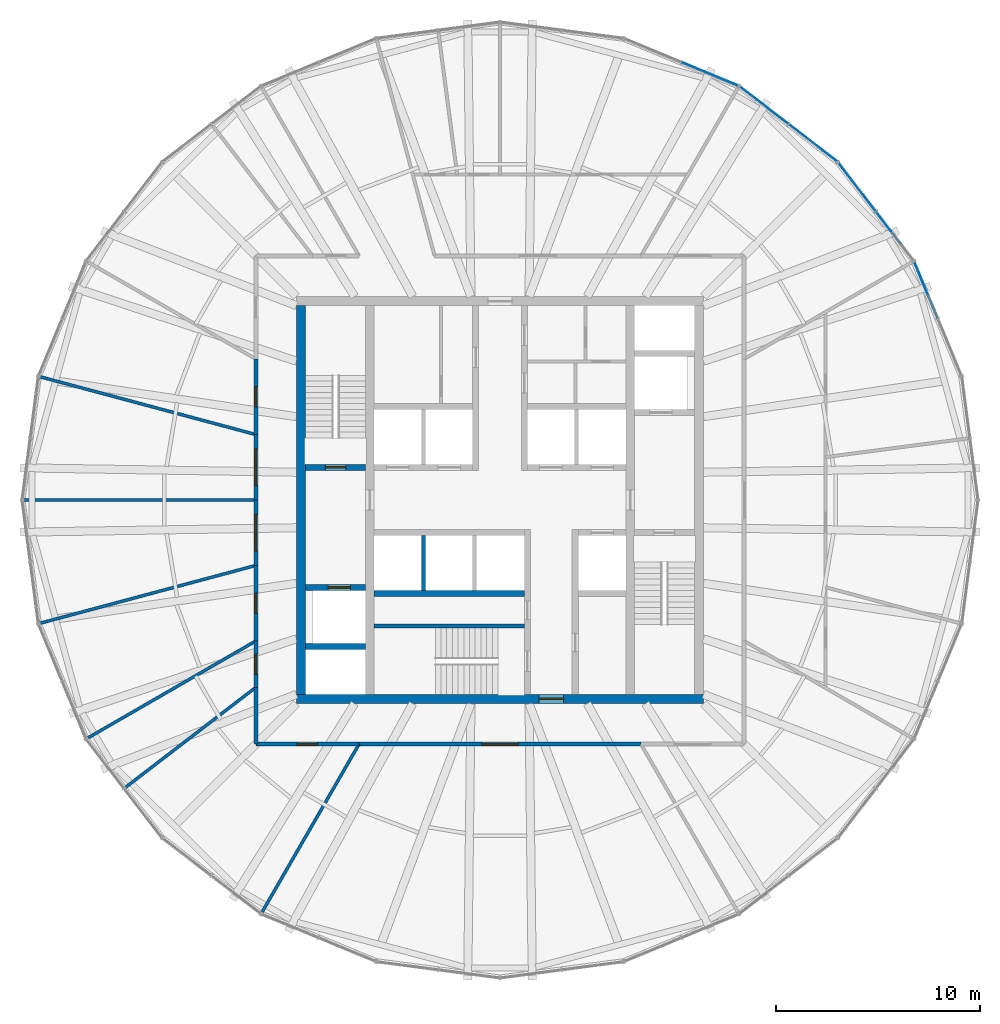
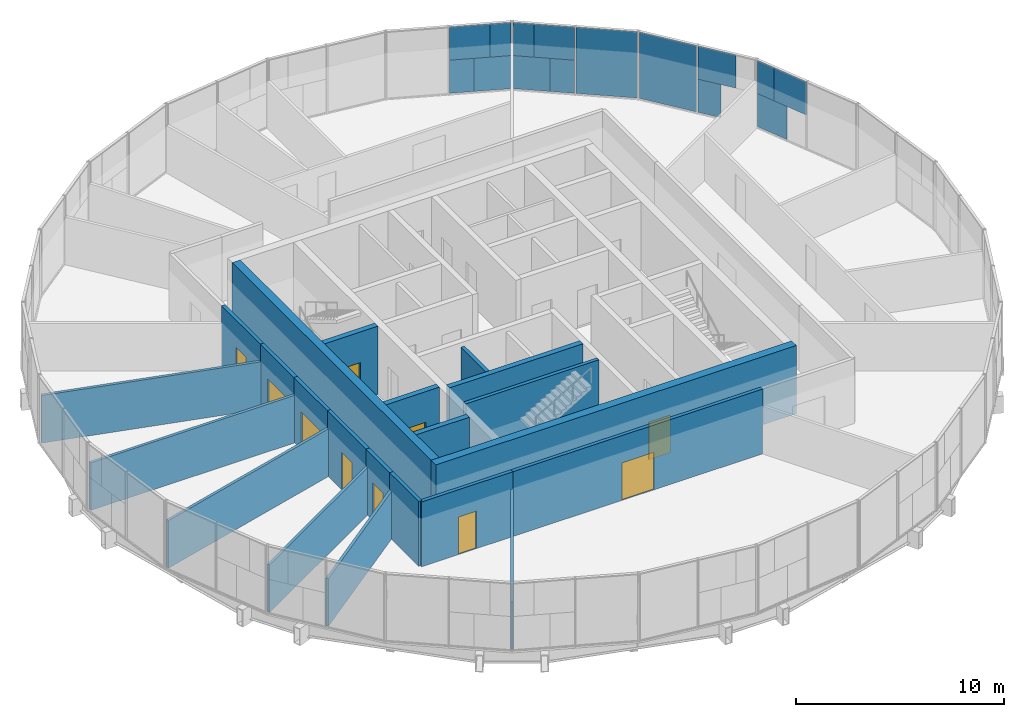
# One storey, part 10 of 13: 22 walls, 15 plates, 10 doors, 10 openings, 4 elements without a shape of their own.
"""IFC4 building model written with IfcOpenShell, lengths in metres."""

from ifc_helpers import new_model, si_unit, direction, frame, frame_2d, origin, origin_2d, place, context, subcontext, project, spatial, rectangle, extrude, material, layer, layer_set, type_object, element, fill, aggregate, save


model = new_model("IFC4")

# Units and contexts
model_context = context("Model", 3, precision=1e-05, world=origin(), true_north=direction((0.0, 1.0)))
body_context = subcontext(model_context, "Body", "Model", "MODEL_VIEW")
ifc_project = project(units=[si_unit("LENGTHUNIT", "METRE"), si_unit("AREAUNIT", "SQUARE_METRE"), si_unit("VOLUMEUNIT", "CUBIC_METRE"), si_unit("PLANEANGLEUNIT", "RADIAN"), si_unit("MASSUNIT", "GRAM", prefix="KILO")], contexts=[model_context])

# Site, building, storey
site_placement = place(None, origin())
site = spatial("IfcSite", under=ifc_project, at=site_placement, CompositionType="ELEMENT")
building_placement = place(site_placement, origin())
building = spatial("IfcBuilding", under=site, at=building_placement, Name="Golbaran Civic Tower", CompositionType="ELEMENT")
storey_placement = place(building_placement, frame((0.0, 0.0, 211.0)))
storey = spatial("IfcBuildingStorey", under=building, at=storey_placement, Name="L51", CompositionType="ELEMENT", Elevation=211.0)

# Curtain wall, plate
ifc_material_1 = material(Name="Aluminium and glass", Category="aluminium")
curtain_wall_type = type_object("IfcCurtainWallType", Name="INNER SKIN CURTAIN WALL EXECUTIVE", PredefinedType="NOTDEFINED", material=ifc_material_1)
curtain_wall_1_placement = place(storey_placement, origin())
curtain_wall_1 = element("IfcCurtainWall", 1, at=curtain_wall_1_placement, inside=storey, type_object=curtain_wall_type, Name="Inner skin L51 facet 2 CW2", ObjectType="INNER SKIN", PredefinedType="USERDEFINED")
ifc_material_2 = material(Name="Clear insulating glass", Category="glass")
ifc_layer_1 = layer(ifc_material_2, 0.031982421875, Name="Clear insulating glass")
ifc_layer_set_1 = layer_set([ifc_layer_1], Name="Clear insulating glass")
plate_type_1 = type_object("IfcPlateType", Name="INNER SKIN CURTAIN WALL EXECUTIVE GLAZED PANEL", PredefinedType="CURTAIN_PANEL", material=ifc_layer_set_1)
plate_1_placement = place(storey_placement, frame((21.12744140625, 9.84619140625, 2.0), z_axis=(0.0, 0.0, 1.0), x_axis=(-0.382683432381, 0.923879532505, 0.0)))
plate_1 = element("IfcPlate", 2, at=plate_1_placement, type_object=plate_type_1, Name="CW2 panel 2.1 part 3", PredefinedType="CURTAIN_PANEL", context=body_context, shape_type="SweptSolid", body=[
    extrude(rectangle(XDim=1.962890625, YDim=0.031982421875, at=origin_2d()), origin(), (0.0, 0.0, 1.0), 1.93994140625),
])

# Curtain wall, plates
curtain_wall_2_placement = place(storey_placement, origin())
curtain_wall_2 = element("IfcCurtainWall", 3, at=curtain_wall_2_placement, inside=storey, type_object=curtain_wall_type, Name="Inner skin L51 facet 3 CW2", ObjectType="INNER SKIN", PredefinedType="USERDEFINED")
plate_2_placement = place(storey_placement, frame((18.855224609375, 13.680419921875, 0.06005859375), z_axis=(0.0, 0.0, 1.0), x_axis=(-0.608761428912, 0.793353340366, 0.0)))
plate_2 = element("IfcPlate", 4, at=plate_2_placement, type_object=plate_type_1, Name="CW2 panel 1.1 part 2", PredefinedType="CURTAIN_PANEL", context=body_context, shape_type="SweptSolid", body=[
    extrude(rectangle(XDim=1.189697265625, YDim=0.031982421875, at=origin_2d()), origin(), (0.0, 0.0, 1.0), 1.93994140625),
])
plate_3_placement = place(storey_placement, frame((19.090576171875, 13.373779296875, 2.0), z_axis=(0.0, 0.0, 1.0), x_axis=(-0.608761428912, 0.793353340366, 0.0)))
plate_3 = element("IfcPlate", 5, at=plate_3_placement, type_object=plate_type_1, Name="CW2 panel 1.1 part 4", PredefinedType="CURTAIN_PANEL", context=body_context, shape_type="SweptSolid", body=[
    extrude(rectangle(XDim=1.962890625, YDim=0.031982421875, at=origin_2d()), origin(), (0.0, 0.0, 1.0), 1.93994140625),
])
plate_4_placement = place(storey_placement, frame((17.55078125, 15.38037109375, 0.06005859375), z_axis=(0.0, 0.0, 1.0), x_axis=(-0.608761428912, 0.793353340366, 0.0)))
plate_4 = element("IfcPlate", 6, at=plate_4_placement, type_object=plate_type_1, Name="CW2 panel 2.1", PredefinedType="CURTAIN_PANEL", context=body_context, shape_type="SweptSolid", body=[
    extrude(rectangle(XDim=2.975830078125, YDim=0.031982421875, at=origin_2d()), origin(), (0.0, 0.0, 1.0), 3.8798828125),
])
aggregate(curtain_wall_2, [plate_2, plate_3, plate_4])

curtain_wall_3_placement = place(storey_placement, origin())
curtain_wall_3 = element("IfcCurtainWall", 7, at=curtain_wall_3_placement, inside=storey, type_object=curtain_wall_type, Name="Inner skin L51 facet 4 CW2", ObjectType="INNER SKIN", PredefinedType="USERDEFINED")
plate_5_placement = place(storey_placement, frame((15.38037109375, 17.55078125, 0.06005859375), z_axis=(0.0, 0.0, 1.0), x_axis=(-0.793353340366, 0.608761428912, 0.0)))
plate_5 = element("IfcPlate", 8, at=plate_5_placement, type_object=plate_type_1, Name="CW2 panel 1.1", PredefinedType="CURTAIN_PANEL", context=body_context, shape_type="SweptSolid", body=[
    extrude(rectangle(XDim=2.975830078125, YDim=0.031982421875, at=origin_2d()), origin(), (0.0, 0.0, 1.0), 3.8798828125),
])
plate_6_placement = place(storey_placement, frame((13.680419921875, 18.855224609375, 0.06005859375), z_axis=(0.0, 0.0, 1.0), x_axis=(-0.793353340366, 0.608761428912, 0.0)))
plate_6 = element("IfcPlate", 9, at=plate_6_placement, type_object=plate_type_1, Name="CW2 panel 2.1 part 1", PredefinedType="CURTAIN_PANEL", context=body_context, shape_type="SweptSolid", body=[
    extrude(rectangle(XDim=1.18994140625, YDim=0.031982421875, at=origin_2d()), origin(), (0.0, 0.0, 1.0), 1.93994140625),
])
plate_7_placement = place(storey_placement, frame((13.373779296875, 19.090576171875, 2.0), z_axis=(0.0, 0.0, 1.0), x_axis=(-0.793353340366, 0.608761428912, 0.0)))
plate_7 = element("IfcPlate", 10, at=plate_7_placement, type_object=plate_type_1, Name="CW2 panel 2.1 part 3", PredefinedType="CURTAIN_PANEL", context=body_context, shape_type="SweptSolid", body=[
    extrude(rectangle(XDim=1.962890625, YDim=0.031982421875, at=origin_2d()), origin(), (0.0, 0.0, 1.0), 1.93994140625),
])

curtain_wall_4_placement = place(storey_placement, origin())
curtain_wall_4 = element("IfcCurtainWall", 11, at=curtain_wall_4_placement, inside=storey, type_object=curtain_wall_type, Name="Inner skin L51 facet 5 CW2", ObjectType="INNER SKIN", PredefinedType="USERDEFINED")
plate_8_placement = place(storey_placement, frame((9.489013671875, 21.275390625, 0.06005859375), z_axis=(0.0, 0.0, 1.0), x_axis=(-0.923879532505, 0.382683432381, 0.0)))
plate_8 = element("IfcPlate", 12, at=plate_8_placement, type_object=plate_type_1, Name="CW2 panel 1.1 part 2", PredefinedType="CURTAIN_PANEL", context=body_context, shape_type="SweptSolid", body=[
    extrude(rectangle(XDim=1.189697265625, YDim=0.031982421875, at=origin_2d()), origin(), (0.0, 0.0, 1.0), 1.93994140625),
])
plate_9_placement = place(storey_placement, frame((9.845947265625, 21.12744140625, 2.0), z_axis=(0.0, 0.0, 1.0), x_axis=(-0.923879532505, 0.382683432381, 0.0)))
plate_9 = element("IfcPlate", 13, at=plate_9_placement, type_object=plate_type_1, Name="CW2 panel 1.1 part 4", PredefinedType="CURTAIN_PANEL", context=body_context, shape_type="SweptSolid", body=[
    extrude(rectangle(XDim=1.962890625, YDim=0.031982421875, at=origin_2d()), origin(), (0.0, 0.0, 1.0), 1.93994140625),
])

# Plate
ifc_material_3 = material(Name="Aluminium faced opaque infill panel", Category="aluminium")
ifc_layer_2 = layer(ifc_material_3, 0.031982421875, Name="Aluminium faced opaque infill panel")
ifc_layer_set_2 = layer_set([ifc_layer_2], Name="Aluminium faced opaque infill panel")
plate_type_2 = type_object("IfcPlateType", Name="INNER SKIN CURTAIN WALL EXECUTIVE OPAQUE INFILL PANEL", PredefinedType="CURTAIN_PANEL", material=ifc_layer_set_2)
plate_10_placement = place(storey_placement, frame((20.705810546875, 10.863525390625, 0.06005859375), z_axis=(0.0, 0.0, 1.0), x_axis=(-0.382683432381, 0.923879532505, 0.0)))
plate_10 = element("IfcPlate", 14, at=plate_10_placement, type_object=plate_type_2, Name="CW2 infill panel 2.1 part 2", PredefinedType="CURTAIN_PANEL", context=body_context, shape_type="SweptSolid", body=[
    extrude(rectangle(XDim=1.785888671875, YDim=0.031982421875, at=origin_2d()), origin(), (0.0, 0.0, 1.0), 1.93994140625),
])

plate_11_placement = place(storey_placement, frame((20.557861328125, 11.220703125, 2.0), z_axis=(0.0, 0.0, 1.0), x_axis=(-0.382683432381, 0.923879532505, 0.0)))
plate_11 = element("IfcPlate", 15, at=plate_11_placement, type_object=plate_type_2, Name="CW2 infill panel 2.1 part 4", PredefinedType="CURTAIN_PANEL", context=body_context, shape_type="SweptSolid", body=[
    extrude(rectangle(XDim=1.0126953125, YDim=0.031982421875, at=origin_2d()), origin(), (0.0, 0.0, 1.0), 1.93994140625),
])

aggregate(curtain_wall_1, [plate_10, plate_1, plate_11])

plate_12_placement = place(storey_placement, frame((12.5, 19.76123046875, 0.06005859375), z_axis=(0.0, 0.0, 1.0), x_axis=(-0.793353340366, 0.608761428912, 0.0)))
plate_12 = element("IfcPlate", 16, at=plate_12_placement, type_object=plate_type_2, Name="CW2 infill panel 2.1 part 2", PredefinedType="CURTAIN_PANEL", context=body_context, shape_type="SweptSolid", body=[
    extrude(rectangle(XDim=1.785888671875, YDim=0.031982421875, at=origin_2d()), origin(), (0.0, 0.0, 1.0), 1.93994140625),
])

plate_13_placement = place(storey_placement, frame((12.193359375, 19.996337890625, 2.0), z_axis=(0.0, 0.0, 1.0), x_axis=(-0.793353340366, 0.608761428912, 0.0)))
plate_13 = element("IfcPlate", 17, at=plate_13_placement, type_object=plate_type_2, Name="CW2 infill panel 2.1 part 4", PredefinedType="CURTAIN_PANEL", context=body_context, shape_type="SweptSolid", body=[
    extrude(rectangle(XDim=1.0126953125, YDim=0.031982421875, at=origin_2d()), origin(), (0.0, 0.0, 1.0), 1.93994140625),
])

aggregate(curtain_wall_3, [plate_5, plate_6, plate_12, plate_7, plate_13])

plate_14_placement = place(storey_placement, frame((10.863525390625, 20.705810546875, 0.06005859375), z_axis=(0.0, 0.0, 1.0), x_axis=(-0.923879532505, 0.382683432381, 0.0)))
plate_14 = element("IfcPlate", 18, at=plate_14_placement, type_object=plate_type_2, Name="CW2 infill panel 1.1 part 1", PredefinedType="CURTAIN_PANEL", context=body_context, shape_type="SweptSolid", body=[
    extrude(rectangle(XDim=1.785888671875, YDim=0.031982421875, at=origin_2d()), origin(), (0.0, 0.0, 1.0), 1.93994140625),
])

plate_15_placement = place(storey_placement, frame((11.220703125, 20.55810546875, 2.0), z_axis=(0.0, 0.0, 1.0), x_axis=(-0.923879532505, 0.382683432381, 0.0)))
plate_15 = element("IfcPlate", 19, at=plate_15_placement, type_object=plate_type_2, Name="CW2 infill panel 1.1 part 3", PredefinedType="CURTAIN_PANEL", context=body_context, shape_type="SweptSolid", body=[
    extrude(rectangle(XDim=1.012939453125, YDim=0.031982421875, at=origin_2d()), origin(), (0.0, 0.0, 1.0), 1.93994140625),
])

aggregate(curtain_wall_4, [plate_14, plate_8, plate_15, plate_9])

# Wall, opening, door
ifc_material_4 = material(Name="Concrete C50/60", Category="concrete")
ifc_layer_3 = layer(ifc_material_4, 0.449951171875, Name="Concrete C50/60")
ifc_layer_set_3 = layer_set([ifc_layer_3], Name="Concrete C50/60")
wall_type_1 = type_object("IfcWallType", Name="CORE WALL CONCRETE 450", PredefinedType="SOLIDWALL", material=ifc_layer_set_3)
wall_1_placement = place(storey_placement, frame((10.0, -9.77490234375, 0.0), z_axis=(0.0, 0.0, 1.0), x_axis=(-1.0, 0.0, 0.0)))
wall_1 = element("IfcWall", 20, at=wall_1_placement, inside=storey, type_object=wall_type_1, Name="Core wall CS L51", PredefinedType="SOLIDWALL", context=body_context, shape_type="SweptSolid", body=[
    extrude(rectangle(XDim=20.0, YDim=0.449951171875, at=frame_2d((10.0, 0.0))), origin(), (0.0, 0.0, 1.0), 4.0),
])
opening_1_placement = place(wall_1_placement, frame((6.875, 0.0, 0.0)))
opening_1 = element("IfcOpeningElement", 21, at=opening_1_placement, cuts=wall_1, Name="Opening L51.CS", PredefinedType="OPENING", context=body_context, shape_type="SweptSolid", body=[
    extrude(rectangle(XDim=1.199951171875, YDim=2.199951171875, at=frame_2d((0.60009765625, 1.10009765625))), frame((0.0, 0.23486328125, 0.0), z_axis=(0.0, -1.0, 0.0), x_axis=(1.0, 0.0, 0.0)), (0.0, 0.0, 1.0), 0.469970703125),
])
ifc_material_5 = material(Name="Timber door set in steel frame", Category="steel")
door_type_1 = type_object("IfcDoorType", Name="CORE DOOR 1200x2200", OperationType="DOUBLE_DOOR_SINGLE_SWING", PredefinedType="DOOR", material=ifc_material_5)
door_1_placement = place(opening_1_placement, origin())
door_1 = element("IfcDoor", 22, at=door_1_placement, inside=storey, type_object=door_type_1, Name="Core door south", OperationType="DOUBLE_DOOR_SINGLE_SWING", OverallHeight=2.199951171875, OverallWidth=1.199951171875, PredefinedType="DOOR", context=body_context, shape_type="SweptSolid", body=[
    extrude(rectangle(XDim=1.199951171875, YDim=2.199951171875, at=frame_2d((0.60009765625, 1.10009765625))), frame((0.0, 0.02490234375, 0.0), z_axis=(0.0, -1.0, 0.0), x_axis=(1.0, 0.0, 0.0)), (0.0, 0.0, 1.0), 0.050048828125),
])
fill(opening_1, door_1)

# Wall
wall_2_placement = place(storey_placement, frame((-9.77490234375, 9.550048828125, 0.0), z_axis=(0.0, 0.0, 1.0), x_axis=(0.0, -1.0, 0.0)))
element("IfcWall", 23, at=wall_2_placement, inside=storey, type_object=wall_type_1, Name="Core wall CW L51", PredefinedType="SOLIDWALL", context=body_context, shape_type="SweptSolid", body=[
    extrude(rectangle(XDim=19.10009765625, YDim=0.449951171875, at=frame_2d((9.550048828125, 0.0))), origin(), (0.0, 0.0, 1.0), 4.0),
])

# Wall, opening, door
ifc_material_6 = material(Name="Gypsum board on steel studs, fire-rated", Category="steel")
ifc_layer_4 = layer(ifc_material_6, 0.199951171875, Name="Gypsum board on steel studs, fire-rated")
ifc_layer_set_4 = layer_set([ifc_layer_4], Name="Gypsum board on steel studs, fire-rated")
wall_type_2 = type_object("IfcWallType", Name="CORRIDOR WALL 200", PredefinedType="PARTITIONING", material=ifc_layer_set_4)
wall_3_placement = place(storey_placement, frame((-12.0, 6.92822265625, 0.0), z_axis=(0.0, 0.0, 1.0), x_axis=(0.0, -1.0, 0.0)))
wall_3 = element("IfcWall", 24, at=wall_3_placement, inside=storey, type_object=wall_type_2, Name="Corridor wall L51", PredefinedType="PARTITIONING", context=body_context, shape_type="SweptSolid", body=[
    extrude(rectangle(XDim=3.712890625, YDim=0.199951171875, at=frame_2d((1.8564453125, 0.0))), origin(), (0.0, 0.0, 1.0), 3.800048828125),
])
opening_2_placement = place(wall_3_placement, frame((1.3564453125, 0.0, 0.0)))
opening_2 = element("IfcOpeningElement", 25, at=opening_2_placement, cuts=wall_3, Name="Opening L51.13", PredefinedType="OPENING", context=body_context, shape_type="SweptSolid", body=[
    extrude(rectangle(XDim=1.0, YDim=2.199951171875, at=frame_2d((0.5, 1.10009765625))), frame((0.0, 0.10986328125, 0.0), z_axis=(0.0, -1.0, 0.0), x_axis=(1.0, 0.0, 0.0)), (0.0, 0.0, 1.0), 0.219970703125),
])
door_type_2 = type_object("IfcDoorType", Name="OFFICE DOOR 1000x2200", OperationType="SINGLE_SWING_LEFT", PredefinedType="DOOR", material=ifc_material_5)
door_2_placement = place(opening_2_placement, origin())
door_2 = element("IfcDoor", 26, at=door_2_placement, inside=storey, type_object=door_type_2, Name="Project Room door L51", OperationType="SINGLE_SWING_RIGHT", OverallHeight=2.199951171875, OverallWidth=1.0, PredefinedType="DOOR", context=body_context, shape_type="SweptSolid", body=[
    extrude(rectangle(XDim=1.0, YDim=2.199951171875, at=frame_2d((0.5, 1.10009765625))), frame((0.0, 0.02490234375, 0.0), z_axis=(0.0, -1.0, 0.0), x_axis=(1.0, 0.0, 0.0)), (0.0, 0.0, 1.0), 0.050048828125),
])
fill(opening_2, door_2)

wall_4_placement = place(storey_placement, frame((-12.0, 3.21533203125, 0.0), z_axis=(0.0, 0.0, 1.0), x_axis=(0.0, -1.0, 0.0)))
wall_4 = element("IfcWall", 27, at=wall_4_placement, inside=storey, type_object=wall_type_2, Name="Corridor wall L51", PredefinedType="PARTITIONING", context=body_context, shape_type="SweptSolid", body=[
    extrude(rectangle(XDim=3.21533203125, YDim=0.199951171875, at=frame_2d((1.607666015625, 0.0))), origin(), (0.0, 0.0, 1.0), 3.800048828125),
])
opening_3_placement = place(wall_4_placement, frame((0.707763671875, 0.0, 0.0)))
opening_3 = element("IfcOpeningElement", 28, at=opening_3_placement, cuts=wall_4, Name="Opening L51.14", PredefinedType="OPENING", context=body_context, shape_type="SweptSolid", body=[
    extrude(rectangle(XDim=1.800048828125, YDim=2.199951171875, at=frame_2d((0.89990234375, 1.10009765625))), frame((0.0, 0.10986328125, 0.0), z_axis=(0.0, -1.0, 0.0), x_axis=(1.0, 0.0, 0.0)), (0.0, 0.0, 1.0), 0.219970703125),
])
door_type_3 = type_object("IfcDoorType", Name="OFFICE DOUBLE DOOR 1800x2200", OperationType="DOUBLE_DOOR_SINGLE_SWING", PredefinedType="DOOR", material=ifc_material_5)
door_3_placement = place(opening_3_placement, origin())
door_3 = element("IfcDoor", 29, at=door_3_placement, inside=storey, type_object=door_type_3, Name="Data and Statistics Office door L51", OperationType="DOUBLE_DOOR_SINGLE_SWING", OverallHeight=2.199951171875, OverallWidth=1.800048828125, PredefinedType="DOOR", context=body_context, shape_type="SweptSolid", body=[
    extrude(rectangle(XDim=1.800048828125, YDim=2.199951171875, at=frame_2d((0.89990234375, 1.10009765625))), frame((0.0, 0.02490234375, 0.0), z_axis=(0.0, -1.0, 0.0), x_axis=(1.0, 0.0, 0.0)), (0.0, 0.0, 1.0), 0.050048828125),
])
fill(opening_3, door_3)

wall_5_placement = place(storey_placement, frame((-12.0, 0.0, 0.0), z_axis=(0.0, 0.0, 1.0), x_axis=(0.0, -1.0, 0.0)))
wall_5 = element("IfcWall", 30, at=wall_5_placement, inside=storey, type_object=wall_type_2, Name="Corridor wall L51", PredefinedType="PARTITIONING", context=body_context, shape_type="SweptSolid", body=[
    extrude(rectangle(XDim=3.21533203125, YDim=0.199951171875, at=frame_2d((1.607666015625, 0.0))), origin(), (0.0, 0.0, 1.0), 3.800048828125),
])
opening_4_placement = place(wall_5_placement, frame((0.707763671875, 0.0, 0.0)))
opening_4 = element("IfcOpeningElement", 31, at=opening_4_placement, cuts=wall_5, Name="Opening L51.15", PredefinedType="OPENING", context=body_context, shape_type="SweptSolid", body=[
    extrude(rectangle(XDim=1.800048828125, YDim=2.199951171875, at=frame_2d((0.89990234375, 1.10009765625))), frame((0.0, 0.10986328125, 0.0), z_axis=(0.0, -1.0, 0.0), x_axis=(1.0, 0.0, 0.0)), (0.0, 0.0, 1.0), 0.219970703125),
])
door_4_placement = place(opening_4_placement, origin())
door_4 = element("IfcDoor", 32, at=door_4_placement, inside=storey, type_object=door_type_3, Name="Data and Statistics Office door L51", OperationType="DOUBLE_DOOR_SINGLE_SWING", OverallHeight=2.199951171875, OverallWidth=1.800048828125, PredefinedType="DOOR", context=body_context, shape_type="SweptSolid", body=[
    extrude(rectangle(XDim=1.800048828125, YDim=2.199951171875, at=frame_2d((0.89990234375, 1.10009765625))), frame((0.0, 0.02490234375, 0.0), z_axis=(0.0, -1.0, 0.0), x_axis=(1.0, 0.0, 0.0)), (0.0, 0.0, 1.0), 0.050048828125),
])
fill(opening_4, door_4)

wall_6_placement = place(storey_placement, frame((-12.0, -3.21533203125, 0.0), z_axis=(0.0, 0.0, 1.0), x_axis=(0.0, -1.0, 0.0)))
wall_6 = element("IfcWall", 33, at=wall_6_placement, inside=storey, type_object=wall_type_2, Name="Corridor wall L51", PredefinedType="PARTITIONING", context=body_context, shape_type="SweptSolid", body=[
    extrude(rectangle(XDim=3.712890625, YDim=0.199951171875, at=frame_2d((1.8564453125, 0.0))), origin(), (0.0, 0.0, 1.0), 3.800048828125),
])
opening_5_placement = place(wall_6_placement, frame((1.3564453125, 0.0, 0.0)))
opening_5 = element("IfcOpeningElement", 34, at=opening_5_placement, cuts=wall_6, Name="Opening L51.16", PredefinedType="OPENING", context=body_context, shape_type="SweptSolid", body=[
    extrude(rectangle(XDim=1.0, YDim=2.199951171875, at=frame_2d((0.5, 1.10009765625))), frame((0.0, 0.10986328125, 0.0), z_axis=(0.0, -1.0, 0.0), x_axis=(1.0, 0.0, 0.0)), (0.0, 0.0, 1.0), 0.219970703125),
])
door_5_placement = place(opening_5_placement, origin())
door_5 = element("IfcDoor", 35, at=door_5_placement, inside=storey, type_object=door_type_2, Name="Project Room door L51", OperationType="SINGLE_SWING_RIGHT", OverallHeight=2.199951171875, OverallWidth=1.0, PredefinedType="DOOR", context=body_context, shape_type="SweptSolid", body=[
    extrude(rectangle(XDim=1.0, YDim=2.199951171875, at=frame_2d((0.5, 1.10009765625))), frame((0.0, 0.02490234375, 0.0), z_axis=(0.0, -1.0, 0.0), x_axis=(1.0, 0.0, 0.0)), (0.0, 0.0, 1.0), 0.050048828125),
])
fill(opening_5, door_5)

wall_7_placement = place(storey_placement, frame((-12.0, -6.92822265625, 0.0), z_axis=(0.0, 0.0, 1.0), x_axis=(0.0, -1.0, 0.0)))
wall_7 = element("IfcWall", 36, at=wall_7_placement, inside=storey, type_object=wall_type_2, Name="Corridor wall L51", PredefinedType="PARTITIONING", context=body_context, shape_type="SweptSolid", body=[
    extrude(rectangle(XDim=2.27978515625, YDim=0.199951171875, at=frame_2d((1.139892578125, 0.0))), origin(), (0.0, 0.0, 1.0), 3.800048828125),
])
opening_6_placement = place(wall_7_placement, frame((0.639892578125, 0.0, 0.0)))
opening_6 = element("IfcOpeningElement", 37, at=opening_6_placement, cuts=wall_7, Name="Opening L51.17", PredefinedType="OPENING", context=body_context, shape_type="SweptSolid", body=[
    extrude(rectangle(XDim=1.0, YDim=2.199951171875, at=frame_2d((0.5, 1.10009765625))), frame((0.0, 0.10986328125, 0.0), z_axis=(0.0, -1.0, 0.0), x_axis=(1.0, 0.0, 0.0)), (0.0, 0.0, 1.0), 0.219970703125),
])
door_6_placement = place(opening_6_placement, origin())
door_6 = element("IfcDoor", 38, at=door_6_placement, inside=storey, type_object=door_type_2, Name="Project Room door L51", OperationType="SINGLE_SWING_RIGHT", OverallHeight=2.199951171875, OverallWidth=1.0, PredefinedType="DOOR", context=body_context, shape_type="SweptSolid", body=[
    extrude(rectangle(XDim=1.0, YDim=2.199951171875, at=frame_2d((0.5, 1.10009765625))), frame((0.0, 0.02490234375, 0.0), z_axis=(0.0, -1.0, 0.0), x_axis=(1.0, 0.0, 0.0)), (0.0, 0.0, 1.0), 0.050048828125),
])
fill(opening_6, door_6)

# Wall
wall_8_placement = place(storey_placement, frame((-12.0, -9.2080078125, 0.0), z_axis=(0.0, 0.0, 1.0), x_axis=(0.0, -1.0, 0.0)))
element("IfcWall", 39, at=wall_8_placement, inside=storey, type_object=wall_type_2, Name="Corridor wall L51", PredefinedType="PARTITIONING", context=body_context, shape_type="SweptSolid", body=[
    extrude(rectangle(XDim=2.7919921875, YDim=0.199951171875, at=frame_2d((1.39599609375, 0.0))), origin(), (0.0, 0.0, 1.0), 3.800048828125),
])

# Wall, opening, door
wall_9_placement = place(storey_placement, frame((-12.0, -12.0, 0.0), z_axis=(0.0, 0.0, 1.0), x_axis=(1.0, 0.0, 0.0)))
wall_9 = element("IfcWall", 40, at=wall_9_placement, inside=storey, type_object=wall_type_2, Name="Corridor wall L51", PredefinedType="PARTITIONING", context=body_context, shape_type="SweptSolid", body=[
    extrude(rectangle(XDim=5.07177734375, YDim=0.199951171875, at=frame_2d((2.535888671875, 0.0))), origin(), (0.0, 0.0, 1.0), 3.800048828125),
])
opening_7_placement = place(wall_9_placement, frame((2.035888671875, 0.0, 0.0)))
opening_7 = element("IfcOpeningElement", 41, at=opening_7_placement, cuts=wall_9, Name="Opening L51.18", PredefinedType="OPENING", context=body_context, shape_type="SweptSolid", body=[
    extrude(rectangle(XDim=1.0, YDim=2.199951171875, at=frame_2d((0.5, 1.10009765625))), frame((0.0, 0.10986328125, 0.0), z_axis=(0.0, -1.0, 0.0), x_axis=(1.0, 0.0, 0.0)), (0.0, 0.0, 1.0), 0.219970703125),
])
door_7_placement = place(opening_7_placement, origin())
door_7 = element("IfcDoor", 42, at=door_7_placement, inside=storey, type_object=door_type_2, Name="Quiet Room door L51", OperationType="SINGLE_SWING_LEFT", OverallHeight=2.199951171875, OverallWidth=1.0, PredefinedType="DOOR", context=body_context, shape_type="SweptSolid", body=[
    extrude(rectangle(XDim=1.0, YDim=2.199951171875, at=frame_2d((0.5, 1.10009765625))), frame((0.0, 0.02490234375, 0.0), z_axis=(0.0, -1.0, 0.0), x_axis=(1.0, 0.0, 0.0)), (0.0, 0.0, 1.0), 0.050048828125),
])
fill(opening_7, door_7)

wall_10_placement = place(storey_placement, frame((-6.92822265625, -12.0, 0.0), z_axis=(0.0, 0.0, 1.0), x_axis=(1.0, 0.0, 0.0)))
wall_10 = element("IfcWall", 43, at=wall_10_placement, inside=storey, type_object=wall_type_2, Name="Corridor wall L51", PredefinedType="PARTITIONING", context=body_context, shape_type="SweptSolid", body=[
    extrude(rectangle(XDim=13.8564453125, YDim=0.199951171875, at=frame_2d((6.92822265625, 0.0))), origin(), (0.0, 0.0, 1.0), 3.800048828125),
])
opening_8_placement = place(wall_10_placement, frame((6.0283203125, 0.0, 0.0)))
opening_8 = element("IfcOpeningElement", 44, at=opening_8_placement, cuts=wall_10, Name="Opening L51.19", PredefinedType="OPENING", context=body_context, shape_type="SweptSolid", body=[
    extrude(rectangle(XDim=1.800048828125, YDim=2.199951171875, at=frame_2d((0.89990234375, 1.10009765625))), frame((0.0, 0.10986328125, 0.0), z_axis=(0.0, -1.0, 0.0), x_axis=(1.0, 0.0, 0.0)), (0.0, 0.0, 1.0), 0.219970703125),
])
door_8_placement = place(opening_8_placement, origin())
door_8 = element("IfcDoor", 45, at=door_8_placement, inside=storey, type_object=door_type_3, Name="IT Services Office door L51", OperationType="DOUBLE_DOOR_SINGLE_SWING", OverallHeight=2.199951171875, OverallWidth=1.800048828125, PredefinedType="DOOR", context=body_context, shape_type="SweptSolid", body=[
    extrude(rectangle(XDim=1.800048828125, YDim=2.199951171875, at=frame_2d((0.89990234375, 1.10009765625))), frame((0.0, 0.02490234375, 0.0), z_axis=(0.0, -1.0, 0.0), x_axis=(1.0, 0.0, 0.0)), (0.0, 0.0, 1.0), 0.050048828125),
])
fill(opening_8, door_8)

# Walls
ifc_material_7 = material(Name="Concrete block", Category="concrete")
ifc_layer_5 = layer(ifc_material_7, 0.199951171875, Name="Concrete block")
ifc_layer_set_5 = layer_set([ifc_layer_5], Name="Concrete block")
wall_type_3 = type_object("IfcWallType", Name="LIFT SEPARATOR WALL 200", PredefinedType="SOLIDWALL", material=ifc_layer_set_5)
wall_11_placement = place(storey_placement, frame((-3.75, -1.75, 0.0), z_axis=(0.0, 0.0, 1.0), x_axis=(0.0, -1.0, 0.0)))
element("IfcWall", 46, at=wall_11_placement, inside=storey, type_object=wall_type_3, Name="Core partition SSW L51", PredefinedType="SOLIDWALL", context=body_context, shape_type="SweptSolid", body=[
    extrude(rectangle(XDim=2.699951171875, YDim=0.199951171875, at=frame_2d((1.35009765625, 0.0))), origin(), (0.0, 0.0, 1.0), 3.75),
])
ifc_material_8 = material(Name="Gypsum board on steel studs", Category="steel")
ifc_layer_6 = layer(ifc_material_8, 0.14990234375, Name="Gypsum board on steel studs")
ifc_layer_set_6 = layer_set([ifc_layer_6], Name="Gypsum board on steel studs")
wall_type_4 = type_object("IfcWallType", Name="OFFICE PARTITION 150", PredefinedType="PARTITIONING", material=ifc_layer_set_6)
wall_12_placement = place(storey_placement, frame((-12.0, 3.21533203125, 0.0), z_axis=(0.0, 0.0, 1.0), x_axis=(-0.965924814244, 0.258822822076, 0.0)))
element("IfcWall", 47, at=wall_12_placement, inside=storey, type_object=wall_type_4, Name="Partition 165 L51", PredefinedType="PARTITIONING", context=body_context, shape_type="SweptSolid", body=[
    extrude(rectangle(XDim=10.97412109375, YDim=0.14990234375, at=frame_2d((5.487060546875, 0.0))), origin(), (0.0, 0.0, 1.0), 2.7900390625),
])
wall_13_placement = place(storey_placement, frame((-12.0, 0.0, 0.0), z_axis=(0.0, 0.0, 1.0), x_axis=(-1.0, 0.0, 0.0)))
element("IfcWall", 48, at=wall_13_placement, inside=storey, type_object=wall_type_4, Name="Partition 180 L51", PredefinedType="PARTITIONING", context=body_context, shape_type="SweptSolid", body=[
    extrude(rectangle(XDim=11.397216796875, YDim=0.14990234375, at=frame_2d((5.69873046875, 0.0))), origin(), (0.0, 0.0, 1.0), 2.7900390625),
])
wall_14_placement = place(storey_placement, frame((-12.0, -3.21533203125, 0.0), z_axis=(0.0, 0.0, 1.0), x_axis=(-0.965924814244, -0.258822822076, 0.0)))
element("IfcWall", 49, at=wall_14_placement, inside=storey, type_object=wall_type_4, Name="Partition 195 L51", PredefinedType="PARTITIONING", context=body_context, shape_type="SweptSolid", body=[
    extrude(rectangle(XDim=10.97412109375, YDim=0.14990234375, at=frame_2d((5.487060546875, 0.0))), origin(), (0.0, 0.0, 1.0), 2.7900390625),
])
wall_15_placement = place(storey_placement, frame((-12.0, -6.92822265625, 0.0), z_axis=(0.0, 0.0, 1.0), x_axis=(-0.866023658759, -0.50000302246, 0.0)))
element("IfcWall", 50, at=wall_15_placement, inside=storey, type_object=wall_type_4, Name="Partition 210 L51", PredefinedType="PARTITIONING", context=body_context, shape_type="SweptSolid", body=[
    extrude(rectangle(XDim=9.541015625, YDim=0.14990234375, at=frame_2d((4.7705078125, 0.0))), origin(), (0.0, 0.0, 1.0), 2.7900390625),
])
wall_16_placement = place(storey_placement, frame((-12.0, -9.2080078125, 0.0), z_axis=(0.0, 0.0, 1.0), x_axis=(-0.793356547797, -0.608757248883, 0.0)))
element("IfcWall", 51, at=wall_16_placement, inside=storey, type_object=wall_type_4, Name="Partition 217.5 L51", PredefinedType="PARTITIONING", context=body_context, shape_type="SweptSolid", body=[
    extrude(rectangle(XDim=8.071533203125, YDim=0.14990234375, at=frame_2d((4.03564453125, 0.0))), origin(), (0.0, 0.0, 1.0), 2.7900390625),
])
wall_17_placement = place(storey_placement, frame((-6.92822265625, -12.0, 0.0), z_axis=(0.0, 0.0, 1.0), x_axis=(-0.50000302246, -0.866023658759, 0.0)))
element("IfcWall", 52, at=wall_17_placement, inside=storey, type_object=wall_type_4, Name="Partition 240 L51", PredefinedType="PARTITIONING", context=body_context, shape_type="SweptSolid", body=[
    extrude(rectangle(XDim=9.541015625, YDim=0.14990234375, at=frame_2d((4.7705078125, 0.0))), origin(), (0.0, 0.0, 1.0), 2.7900390625),
])
ifc_layer_7 = layer(ifc_material_4, 0.199951171875, Name="Concrete C50/60")
ifc_layer_set_7 = layer_set([ifc_layer_7], Name="Concrete C50/60")
wall_type_5 = type_object("IfcWallType", Name="SHAFT WALL CONCRETE 200", PredefinedType="SOLIDWALL", material=ifc_layer_set_7)
wall_18_placement = place(storey_placement, frame((-6.199951171875, -6.199951171875, 0.0), z_axis=(0.0, 0.0, 1.0), x_axis=(1.0, 0.0, 0.0)))
element("IfcWall", 53, at=wall_18_placement, inside=storey, type_object=wall_type_5, Name="Core wall S3N L51", PredefinedType="SOLIDWALL", context=body_context, shape_type="SweptSolid", body=[
    extrude(rectangle(XDim=7.39990234375, YDim=0.199951171875, at=frame_2d((3.699951171875, 0.0))), origin(), (0.0, 0.0, 1.0), 4.0),
])
ifc_layer_8 = layer(ifc_material_4, 0.300048828125, Name="Concrete C50/60")
ifc_layer_set_8 = layer_set([ifc_layer_8], Name="Concrete C50/60")
wall_type_6 = type_object("IfcWallType", Name="SHAFT WALL CONCRETE 300", PredefinedType="SOLIDWALL", material=ifc_layer_set_8)
wall_19_placement = place(storey_placement, frame((-6.199951171875, -4.60009765625, 0.0), z_axis=(0.0, 0.0, 1.0), x_axis=(1.0, 0.0, 0.0)))
element("IfcWall", 54, at=wall_19_placement, inside=storey, type_object=wall_type_6, Name="Core wall BSW L51", PredefinedType="SOLIDWALL", context=body_context, shape_type="SweptSolid", body=[
    extrude(rectangle(XDim=7.39990234375, YDim=0.300048828125, at=frame_2d((3.699951171875, 0.0))), origin(), (0.0, 0.0, 1.0), 4.0),
])

# Wall, opening, door
wall_20_placement = place(storey_placement, frame((-9.550048828125, 1.60009765625, 0.0), z_axis=(0.0, 0.0, 1.0), x_axis=(1.0, 0.0, 0.0)))
wall_20 = element("IfcWall", 55, at=wall_20_placement, inside=storey, type_object=wall_type_6, Name="Core wall XW1 L51", PredefinedType="SOLIDWALL", context=body_context, shape_type="SweptSolid", body=[
    extrude(rectangle(XDim=2.949951171875, YDim=0.300048828125, at=frame_2d((1.47509765625, 0.0))), origin(), (0.0, 0.0, 1.0), 4.0),
])
opening_9_placement = place(wall_20_placement, frame((0.97509765625, 0.0, 0.0)))
opening_9 = element("IfcOpeningElement", 56, at=opening_9_placement, cuts=wall_20, Name="Opening L51.S1", PredefinedType="OPENING", context=body_context, shape_type="SweptSolid", body=[
    extrude(rectangle(XDim=1.0, YDim=2.199951171875, at=frame_2d((0.5, 1.10009765625))), frame((0.0, 0.159912109375, 0.0), z_axis=(0.0, -1.0, 0.0), x_axis=(1.0, 0.0, 0.0)), (0.0, 0.0, 1.0), 0.320068359375),
])
door_type_4 = type_object("IfcDoorType", Name="STAIR DOOR 1000x2200", OperationType="SINGLE_SWING_LEFT", PredefinedType="DOOR", material=ifc_material_5)
door_9_placement = place(opening_9_placement, origin())
door_9 = element("IfcDoor", 57, at=door_9_placement, inside=storey, type_object=door_type_4, Name="Stair S1 door", OperationType="SINGLE_SWING_LEFT", OverallHeight=2.199951171875, OverallWidth=1.0, PredefinedType="DOOR", context=body_context, shape_type="SweptSolid", body=[
    extrude(rectangle(XDim=1.0, YDim=2.199951171875, at=frame_2d((0.5, 1.10009765625))), frame((0.0, 0.02490234375, 0.0), z_axis=(0.0, -1.0, 0.0), x_axis=(1.0, 0.0, 0.0)), (0.0, 0.0, 1.0), 0.050048828125),
])
fill(opening_9, door_9)

wall_21_placement = place(storey_placement, frame((-9.550048828125, -4.300048828125, 0.0), z_axis=(0.0, 0.0, 1.0), x_axis=(1.0, 0.0, 0.0)))
wall_21 = element("IfcWall", 58, at=wall_21_placement, inside=storey, type_object=wall_type_6, Name="Core wall XW2 L51", PredefinedType="SOLIDWALL", context=body_context, shape_type="SweptSolid", body=[
    extrude(rectangle(XDim=2.949951171875, YDim=0.300048828125, at=frame_2d((1.47509765625, 0.0))), origin(), (0.0, 0.0, 1.0), 4.0),
])
opening_10_placement = place(wall_21_placement, frame((1.10009765625, 0.0, 0.0)))
opening_10 = element("IfcOpeningElement", 59, at=opening_10_placement, cuts=wall_21, Name="Opening L51.LD-F1", PredefinedType="OPENING", context=body_context, shape_type="SweptSolid", body=[
    extrude(rectangle(XDim=1.10009765625, YDim=2.199951171875, at=frame_2d((0.550048828125, 1.10009765625))), frame((0.0, 0.159912109375, 0.0), z_axis=(0.0, -1.0, 0.0), x_axis=(1.0, 0.0, 0.0)), (0.0, 0.0, 1.0), 0.320068359375),
])
ifc_material_9 = material(Name="Stainless steel", Category="steel")
door_type_5 = type_object("IfcDoorType", Name="LIFT LANDING DOOR 1100x2200", OperationType="SLIDING_TO_LEFT", PredefinedType="DOOR", material=ifc_material_9)
door_10_placement = place(opening_10_placement, origin())
door_10 = element("IfcDoor", 60, at=door_10_placement, inside=storey, type_object=door_type_5, Name="Lift landing door F1", OperationType="SLIDING_TO_LEFT", OverallHeight=2.199951171875, OverallWidth=1.10009765625, PredefinedType="DOOR", context=body_context, shape_type="SweptSolid", body=[
    extrude(rectangle(XDim=1.10009765625, YDim=2.199951171875, at=frame_2d((0.550048828125, 1.10009765625))), frame((0.0, 0.02490234375, 0.0), z_axis=(0.0, -1.0, 0.0), x_axis=(1.0, 0.0, 0.0)), (0.0, 0.0, 1.0), 0.050048828125),
])
fill(opening_10, door_10)

# Wall
wall_22_placement = place(storey_placement, frame((-9.550048828125, -7.199951171875, 0.0), z_axis=(0.0, 0.0, 1.0), x_axis=(1.0, 0.0, 0.0)))
element("IfcWall", 61, at=wall_22_placement, inside=storey, type_object=wall_type_6, Name="Core wall XW3 L51", PredefinedType="SOLIDWALL", context=body_context, shape_type="SweptSolid", body=[
    extrude(rectangle(XDim=2.949951171875, YDim=0.300048828125, at=frame_2d((1.47509765625, 0.0))), origin(), (0.0, 0.0, 1.0), 4.0),
])

save(model, "model.ifc")
